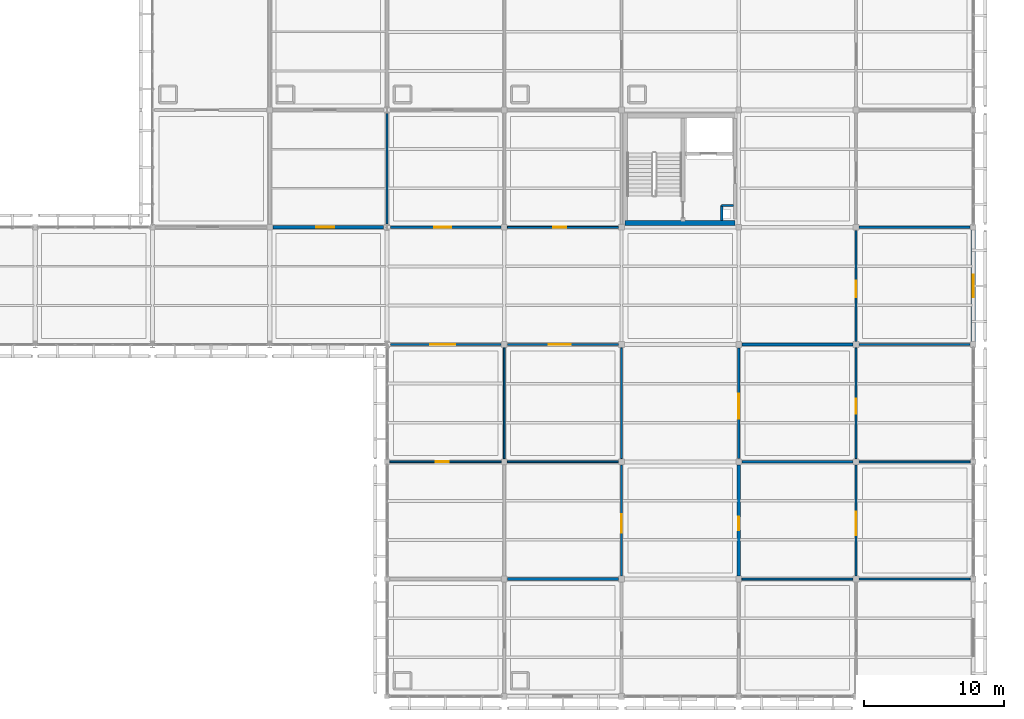
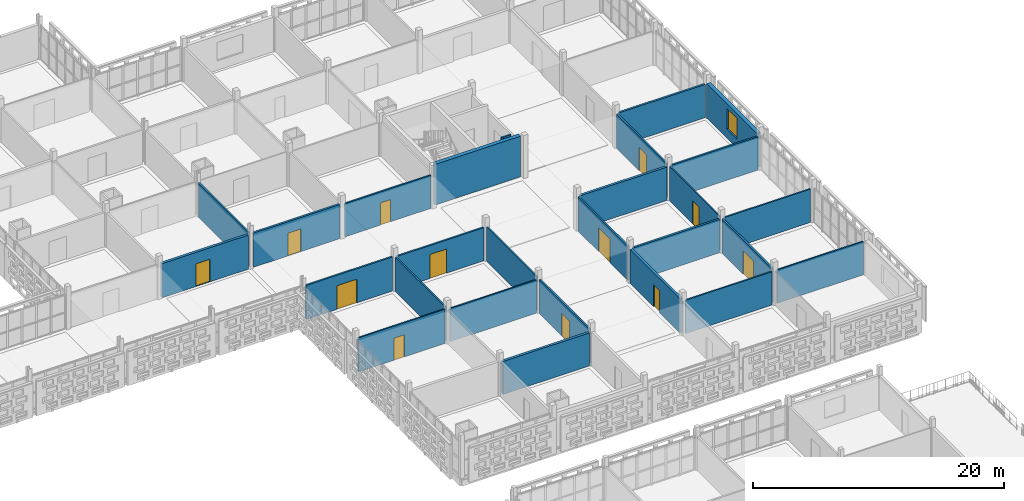
# One storey, part 105 of 166: 28 walls, 12 doors, 1 window, 13 openings.
"""IFC4 building model written with IfcOpenShell, lengths in metres."""

from ifc_helpers import new_model, si_unit, direction, frame, frame_2d, origin, place, context, subcontext, project, spatial, rectangle, extrude, material, layer, layer_set, type_object, element, fill, save


model = new_model("IFC4")

# Units and contexts
model_context = context("Model", 3, precision=1e-05, world=origin(), true_north=direction((0.0, 1.0)))
body_context = subcontext(model_context, "Body", "Model", "MODEL_VIEW")
ifc_project = project(units=[si_unit("LENGTHUNIT", "METRE"), si_unit("AREAUNIT", "SQUARE_METRE"), si_unit("VOLUMEUNIT", "CUBIC_METRE"), si_unit("PLANEANGLEUNIT", "RADIAN"), si_unit("MASSUNIT", "GRAM", prefix="KILO")], contexts=[model_context])

# Site, building, storey
site_placement = place(None, origin())
site = spatial("IfcSite", under=ifc_project, at=site_placement, CompositionType="ELEMENT")
building_placement = place(site_placement, origin())
building = spatial("IfcBuilding", under=site, at=building_placement, Name="Varnapada Polytechnic", CompositionType="ELEMENT")
storey_placement = place(building_placement, frame((0.0, 0.0, 9.60009765625)))
storey = spatial("IfcBuildingStorey", under=building, at=storey_placement, Name="L02", CompositionType="ELEMENT", Elevation=9.60009765625)

# Walls
ifc_material_1 = material(Name="Autoclaved Aerated Concrete Block AAC-600", Category="concrete")
ifc_layer_1 = layer(ifc_material_1, 0.14990234375)
ifc_layer_set_1 = layer_set([ifc_layer_1], Name="Autoclaved Aerated Concrete Block AAC-600")
wall_type_1 = type_object("IfcWallType", Name="Interior Wall IW-02", PredefinedType="PARTITIONING", material=ifc_layer_set_1)
wall_1_placement = place(storey_placement, frame((158.3798828125, 93.9599609375, 0.0), z_axis=(0.0, 0.0, 1.0), x_axis=(0.0, -1.0, 0.0)))
element("IfcWall", 1, at=wall_1_placement, inside=storey, type_object=wall_type_1, Name="L02 C5 riser shaft west wall", PredefinedType="PARTITIONING", context=body_context, shape_type="SweptSolid", body=[
    extrude(rectangle(XDim=1.06005859375, YDim=0.14990234375, at=frame_2d((0.530029296875, 0.0))), origin(), (0.0, 0.0, 1.0), 3.31982421875),
])
wall_2_placement = place(storey_placement, frame((158.3798828125, 93.9599609375, 0.0), z_axis=(0.0, 0.0, 1.0), x_axis=(1.0, 0.0, 0.0)))
element("IfcWall", 2, at=wall_2_placement, inside=storey, type_object=wall_type_1, Name="L02 C5 riser shaft north wall", PredefinedType="PARTITIONING", context=body_context, shape_type="SweptSolid", body=[
    extrude(rectangle(XDim=0.860107421875, YDim=0.14990234375, at=frame_2d((0.43017578125, 0.0))), origin(), (0.0, 0.0, 1.0), 3.31982421875),
])
wall_3_placement = place(storey_placement, frame((134.39990234375, 92.64501953125, 0.0), z_axis=(0.0, 0.0, 1.0), x_axis=(0.0, 1.0, 0.0)))
element("IfcWall", 3, at=wall_3_placement, inside=storey, type_object=wall_type_1, Name="L02 interior partition IW-L02-15-11-V", PredefinedType="PARTITIONING", context=body_context, shape_type="SweptSolid", body=[
    extrude(rectangle(XDim=7.909912109375, YDim=0.14990234375, at=frame_2d((3.955078125, 0.0))), origin(), (0.0, 0.0, 1.0), 3.31982421875),
])

# Wall, opening, door
wall_4_placement = place(storey_placement, frame((151.199951171875, 67.429931640625, 0.0), z_axis=(0.0, 0.0, 1.0), x_axis=(0.0, 1.0, 0.0)))
wall_4 = element("IfcWall", 4, at=wall_4_placement, inside=storey, type_object=wall_type_1, Name="L02 interior partition IW-L02-17-08-V", PredefinedType="PARTITIONING", context=body_context, shape_type="SweptSolid", body=[
    extrude(rectangle(XDim=7.940185546875, YDim=0.14990234375, at=frame_2d((3.97021484375, 0.0))), origin(), (0.0, 0.0, 1.0), 3.31982421875),
])
opening_1_placement = place(wall_4_placement, frame((3.10009765625, 0.0, 0.0)))
opening_1 = element("IfcOpeningElement", 5, at=opening_1_placement, cuts=wall_4, Name="Opening D-1165", PredefinedType="OPENING", context=body_context, shape_type="SweptSolid", body=[
    extrude(rectangle(XDim=1.300048828125, YDim=2.199951171875, at=frame_2d((0.64990234375, 1.10009765625))), frame((0.0, 0.0849609375, 0.0), z_axis=(0.0, -1.0, 0.0), x_axis=(1.0, 0.0, 0.0)), (0.0, 0.0, 1.0), 0.169921875),
])
ifc_material_2 = material(Name="Acoustic Laminated Timber Leaf", Category="wood")
door_type_1 = type_object("IfcDoorType", Name="Interior Door ID-11", OperationType="NOTDEFINED", PredefinedType="DOOR", material=ifc_material_2)
door_1_placement = place(opening_1_placement, origin())
door_1 = element("IfcDoor", 6, at=door_1_placement, inside=storey, type_object=door_type_1, Name="L02 interior room door D-1165", OperationType="SINGLE_SWING_RIGHT", OverallHeight=2.199951171875, OverallWidth=1.300048828125, PredefinedType="DOOR", context=body_context, shape_type="SweptSolid", body=[
    extrude(rectangle(XDim=1.300048828125, YDim=2.199951171875, at=frame_2d((0.64990234375, 1.10009765625))), frame((0.0, 0.02490234375, 0.0), z_axis=(0.0, -1.0, 0.0), x_axis=(1.0, 0.0, 0.0)), (0.0, 0.0, 1.0), 0.050048828125),
])
fill(opening_1, door_1)

wall_5_placement = place(storey_placement, frame((159.60009765625, 75.830078125, 0.0), z_axis=(0.0, 0.0, 1.0), x_axis=(0.0, 1.0, 0.0)))
wall_5 = element("IfcWall", 7, at=wall_5_placement, inside=storey, type_object=wall_type_1, Name="L02 interior partition IW-L02-18-09-V", PredefinedType="PARTITIONING", context=body_context, shape_type="SweptSolid", body=[
    extrude(rectangle(XDim=7.93994140625, YDim=0.14990234375, at=frame_2d((3.969970703125, 0.0))), origin(), (0.0, 0.0, 1.0), 3.31982421875),
])
opening_2_placement = place(wall_5_placement, frame((2.85009765625, 0.0, 0.0)))
opening_2 = element("IfcOpeningElement", 8, at=opening_2_placement, cuts=wall_5, Name="Opening D-1175", PredefinedType="OPENING", context=body_context, shape_type="SweptSolid", body=[
    extrude(rectangle(XDim=1.800048828125, YDim=2.300048828125, at=frame_2d((0.89990234375, 1.14990234375))), frame((0.0, 0.0849609375, 0.0), z_axis=(0.0, -1.0, 0.0), x_axis=(1.0, 0.0, 0.0)), (0.0, 0.0, 1.0), 0.169921875),
])
ifc_material_3 = material(Name="Acoustic Double Timber Leaf", Category="wood")
door_type_2 = type_object("IfcDoorType", Name="Interior Door ID-04", OperationType="NOTDEFINED", PredefinedType="DOOR", material=ifc_material_3)
door_2_placement = place(opening_2_placement, frame((1.800048828125, 0.0, 0.0), z_axis=(0.0, 0.0, 1.0), x_axis=(-1.0, 0.0, 0.0)))
door_2 = element("IfcDoor", 9, at=door_2_placement, inside=storey, type_object=door_type_2, Name="L02 interior room door D-1175", OperationType="SINGLE_SWING_RIGHT", OverallHeight=2.300048828125, OverallWidth=1.800048828125, PredefinedType="DOOR", context=body_context, shape_type="SweptSolid", body=[
    extrude(rectangle(XDim=1.800048828125, YDim=2.300048828125, at=frame_2d((0.89990234375, 1.14990234375))), frame((0.0, 0.02490234375, 0.0), z_axis=(0.0, -1.0, 0.0), x_axis=(1.0, 0.0, 0.0)), (0.0, 0.0, 1.0), 0.050048828125),
])
fill(opening_2, door_2)

ifc_material_4 = material(Name="Gypsum Plasterboard Acoustic Partition")
ifc_layer_2 = layer(ifc_material_4, 0.125)
ifc_layer_set_2 = layer_set([ifc_layer_2], Name="Gypsum Plasterboard Acoustic Partition")
wall_type_2 = type_object("IfcWallType", Name="Interior Wall IW-03", PredefinedType="PARTITIONING", material=ifc_layer_set_2)
wall_6_placement = place(storey_placement, frame((134.610107421875, 75.60009765625, 0.0), z_axis=(0.0, 0.0, 1.0), x_axis=(1.0, 0.0, 0.0)))
wall_6 = element("IfcWall", 10, at=wall_6_placement, inside=storey, type_object=wall_type_2, Name="L02 interior partition IW-L02-16-08-H", PredefinedType="PARTITIONING", context=body_context, shape_type="SweptSolid", body=[
    extrude(rectangle(XDim=7.9599609375, YDim=0.125, at=frame_2d((3.97998046875, 0.0))), origin(), (0.0, 0.0, 1.0), 3.31982421875),
])
opening_3_placement = place(wall_6_placement, frame((3.27490234375, 0.0, 0.0)))
opening_3 = element("IfcOpeningElement", 11, at=opening_3_placement, cuts=wall_6, Name="Opening D-1157", PredefinedType="OPENING", context=body_context, shape_type="SweptSolid", body=[
    extrude(rectangle(XDim=0.949951171875, YDim=2.14990234375, at=frame_2d((0.47509765625, 1.074951171875))), frame((0.0, 0.072509765625, 0.0), z_axis=(0.0, -1.0, 0.0), x_axis=(1.0, 0.0, 0.0)), (0.0, 0.0, 1.0), 0.14501953125),
])
ifc_material_5 = material(Name="Moisture-Resistant HPL Timber", Category="wood")
door_type_3 = type_object("IfcDoorType", Name="Interior Door ID-03", OperationType="NOTDEFINED", PredefinedType="DOOR", material=ifc_material_5)
door_3_placement = place(opening_3_placement, frame((0.949951171875, 0.0, 0.0), z_axis=(0.0, 0.0, 1.0), x_axis=(-1.0, 0.0, 0.0)))
door_3 = element("IfcDoor", 12, at=door_3_placement, inside=storey, type_object=door_type_3, Name="L02 interior room door D-1157", OperationType="SINGLE_SWING_RIGHT", OverallHeight=2.14990234375, OverallWidth=0.949951171875, PredefinedType="DOOR", context=body_context, shape_type="SweptSolid", body=[
    extrude(rectangle(XDim=0.949951171875, YDim=2.14990234375, at=frame_2d((0.47509765625, 1.074951171875))), frame((0.0, 0.02490234375, 0.0), z_axis=(0.0, -1.0, 0.0), x_axis=(1.0, 0.0, 0.0)), (0.0, 0.0, 1.0), 0.050048828125),
])
fill(opening_3, door_3)

# Walls
wall_7_placement = place(storey_placement, frame((143.030029296875, 75.60009765625, 0.0), z_axis=(0.0, 0.0, 1.0), x_axis=(1.0, 0.0, 0.0)))
element("IfcWall", 13, at=wall_7_placement, inside=storey, type_object=wall_type_2, Name="L02 interior partition IW-L02-17-08-H", PredefinedType="PARTITIONING", context=body_context, shape_type="SweptSolid", body=[
    extrude(rectangle(XDim=7.93994140625, YDim=0.125, at=frame_2d((3.969970703125, 0.0))), origin(), (0.0, 0.0, 1.0), 3.219970703125),
])
wall_8_placement = place(storey_placement, frame((168.22998046875, 67.199951171875, 0.0), z_axis=(0.0, 0.0, 1.0), x_axis=(1.0, 0.0, 0.0)))
element("IfcWall", 14, at=wall_8_placement, inside=storey, type_object=wall_type_2, Name="L02 interior partition IW-L02-20-07-H", PredefinedType="PARTITIONING", context=body_context, shape_type="SweptSolid", body=[
    extrude(rectangle(XDim=7.93994140625, YDim=0.125, at=frame_2d((3.969970703125, 0.0))), origin(), (0.0, 0.0, 1.0), 3.239990234375),
])
ifc_material_6 = material(Name="Moisture-Resistant Cement Board Partition")
ifc_layer_3 = layer(ifc_material_6, 0.139892578125)
ifc_layer_set_3 = layer_set([ifc_layer_3], Name="Moisture-Resistant Cement Board Partition")
wall_type_3 = type_object("IfcWallType", Name="Interior Wall IW-04", PredefinedType="PARTITIONING", material=ifc_layer_set_3)
for number, where, z_axis, x_axis, name in (
    (15, (142.800048828125, 75.830078125, 0.0), (0.0, 0.0, 1.0), (0.0, 1.0, 0.0), "L02 interior partition IW-L02-16-09-V"),
    (16, (151.199951171875, 75.830078125, 0.0), (0.0, 0.0, 1.0), (0.0, 1.0, 0.0), "L02 interior partition IW-L02-17-09-V"),
):
    element("IfcWall", number, at=place(storey_placement, frame(where, z_axis=z_axis, x_axis=x_axis)), inside=storey, type_object=wall_type_3, Name=name, PredefinedType="PARTITIONING", context=body_context, shape_type="SweptSolid", body=[
        extrude(rectangle(XDim=7.93994140625, YDim=0.139892578125, at=frame_2d((3.969970703125, 0.0))), origin(), (0.0, 0.0, 1.0), 3.31982421875),
    ])

# Wall, opening, door
wall_9_placement = place(storey_placement, frame((143.030029296875, 92.39990234375, 0.0), z_axis=(0.0, 0.0, 1.0), x_axis=(1.0, 0.0, 0.0)))
wall_9 = element("IfcWall", 17, at=wall_9_placement, inside=storey, type_object=wall_type_3, Name="L02 interior partition IW-L02-17-10-H", PredefinedType="PARTITIONING", context=body_context, shape_type="SweptSolid", body=[
    extrude(rectangle(XDim=7.93994140625, YDim=0.139892578125, at=frame_2d((3.969970703125, 0.0))), origin(), (0.0, 0.0, 1.0), 3.219970703125),
])
opening_4_placement = place(wall_9_placement, frame((3.27490234375, 0.0, 0.0)))
opening_4 = element("IfcOpeningElement", 18, at=opening_4_placement, cuts=wall_9, Name="Opening D-1167", PredefinedType="OPENING", context=body_context, shape_type="SweptSolid", body=[
    extrude(rectangle(XDim=0.949951171875, YDim=2.14990234375, at=frame_2d((0.47509765625, 1.074951171875))), frame((0.0, 0.079833984375, 0.0), z_axis=(0.0, -1.0, 0.0), x_axis=(1.0, 0.0, 0.0)), (0.0, 0.0, 1.0), 0.159912109375),
])
door_4_placement = place(opening_4_placement, origin())
door_4 = element("IfcDoor", 19, at=door_4_placement, inside=storey, type_object=door_type_3, Name="L02 interior room door D-1167", OperationType="SINGLE_SWING_RIGHT", OverallHeight=2.14990234375, OverallWidth=0.949951171875, PredefinedType="DOOR", context=body_context, shape_type="SweptSolid", body=[
    extrude(rectangle(XDim=0.949951171875, YDim=2.14990234375, at=frame_2d((0.47509765625, 1.074951171875))), frame((0.0, 0.02490234375, 0.0), z_axis=(0.0, -1.0, 0.0), x_axis=(1.0, 0.0, 0.0)), (0.0, 0.0, 1.0), 0.050048828125),
])
fill(opening_4, door_4)

# Wall
wall_10_placement = place(storey_placement, frame((168.22998046875, 75.60009765625, 0.0), z_axis=(0.0, 0.0, 1.0), x_axis=(1.0, 0.0, 0.0)))
element("IfcWall", 20, at=wall_10_placement, inside=storey, type_object=wall_type_3, Name="L02 interior partition IW-L02-20-08-H", PredefinedType="PARTITIONING", context=body_context, shape_type="SweptSolid", body=[
    extrude(rectangle(XDim=7.93994140625, YDim=0.139892578125, at=frame_2d((3.969970703125, 0.0))), origin(), (0.0, 0.0, 1.0), 3.239990234375),
])

# Wall, opening, door
ifc_material_7 = material(Name="Cross-laminated timber CLT C24", Category="wood")
ifc_layer_4 = layer(ifc_material_7, 0.159912109375)
ifc_layer_set_4 = layer_set([ifc_layer_4], Name="Cross-laminated timber CLT C24")
wall_type_4 = type_object("IfcWallType", Name="Interior Wall IW-05", PredefinedType="PARTITIONING", material=ifc_layer_set_4)
wall_11_placement = place(storey_placement, frame((134.639892578125, 84.0, 0.0), z_axis=(0.0, 0.0, 1.0), x_axis=(1.0, 0.0, 0.0)))
wall_11 = element("IfcWall", 21, at=wall_11_placement, inside=storey, type_object=wall_type_4, Name="L02 interior partition IW-L02-16-09-H", PredefinedType="PARTITIONING", context=body_context, shape_type="SweptSolid", body=[
    extrude(rectangle(XDim=7.93017578125, YDim=0.159912109375, at=frame_2d((3.965087890625, 0.0))), origin(), (0.0, 0.0, 1.0), 3.31982421875),
])
opening_5_placement = place(wall_11_placement, frame((2.85009765625, 0.0, 0.0)))
opening_5 = element("IfcOpeningElement", 22, at=opening_5_placement, cuts=wall_11, Name="Opening D-1158", PredefinedType="OPENING", context=body_context, shape_type="SweptSolid", body=[
    extrude(rectangle(XDim=1.800048828125, YDim=2.300048828125, at=frame_2d((0.89990234375, 1.14990234375))), frame((0.0, 0.08984375, 0.0), z_axis=(0.0, -1.0, 0.0), x_axis=(1.0, 0.0, 0.0)), (0.0, 0.0, 1.0), 0.179931640625),
])
door_5_placement = place(opening_5_placement, origin())
door_5 = element("IfcDoor", 23, at=door_5_placement, inside=storey, type_object=door_type_2, Name="L02 interior room door D-1158", OperationType="SINGLE_SWING_LEFT", OverallHeight=2.300048828125, OverallWidth=1.800048828125, PredefinedType="DOOR", context=body_context, shape_type="SweptSolid", body=[
    extrude(rectangle(XDim=1.800048828125, YDim=2.300048828125, at=frame_2d((0.89990234375, 1.14990234375))), frame((0.0, 0.02490234375, 0.0), z_axis=(0.0, -1.0, 0.0), x_axis=(1.0, 0.0, 0.0)), (0.0, 0.0, 1.0), 0.050048828125),
])
fill(opening_5, door_5)

wall_12_placement = place(storey_placement, frame((143.030029296875, 84.0, 0.0), z_axis=(0.0, 0.0, 1.0), x_axis=(1.0, 0.0, 0.0)))
wall_12 = element("IfcWall", 24, at=wall_12_placement, inside=storey, type_object=wall_type_4, Name="L02 interior partition IW-L02-17-09-H", PredefinedType="PARTITIONING", context=body_context, shape_type="SweptSolid", body=[
    extrude(rectangle(XDim=7.93994140625, YDim=0.159912109375, at=frame_2d((3.969970703125, 0.0))), origin(), (0.0, 0.0, 1.0), 3.219970703125),
])
opening_6_placement = place(wall_12_placement, frame((2.97509765625, 0.0, 0.0)))
opening_6 = element("IfcOpeningElement", 25, at=opening_6_placement, cuts=wall_12, Name="Opening D-1166", PredefinedType="OPENING", context=body_context, shape_type="SweptSolid", body=[
    extrude(rectangle(XDim=1.550048828125, YDim=2.35009765625, at=frame_2d((0.77490234375, 1.175048828125))), frame((0.0, 0.08984375, 0.0), z_axis=(0.0, -1.0, 0.0), x_axis=(1.0, 0.0, 0.0)), (0.0, 0.0, 1.0), 0.179931640625),
])
ifc_material_8 = material(Name="Galvanized Steel Z275", Category="steel")
door_type_4 = type_object("IfcDoorType", Name="Interior Door ID-12", OperationType="NOTDEFINED", PredefinedType="DOOR", material=ifc_material_8)
door_6_placement = place(opening_6_placement, frame((1.550048828125, 0.0, 0.0), z_axis=(0.0, 0.0, 1.0), x_axis=(-1.0, 0.0, 0.0)))
door_6 = element("IfcDoor", 26, at=door_6_placement, inside=storey, type_object=door_type_4, Name="L02 interior room door D-1166", OperationType="SINGLE_SWING_LEFT", OverallHeight=2.35009765625, OverallWidth=1.550048828125, PredefinedType="DOOR", context=body_context, shape_type="SweptSolid", body=[
    extrude(rectangle(XDim=1.550048828125, YDim=2.35009765625, at=frame_2d((0.77490234375, 1.175048828125))), frame((0.0, 0.02490234375, 0.0), z_axis=(0.0, -1.0, 0.0), x_axis=(1.0, 0.0, 0.0)), (0.0, 0.0, 1.0), 0.050048828125),
])
fill(opening_6, door_6)

# Wall
wall_13_placement = place(storey_placement, frame((168.22998046875, 84.0, 0.0), z_axis=(0.0, 0.0, 1.0), x_axis=(1.0, 0.0, 0.0)))
element("IfcWall", 27, at=wall_13_placement, inside=storey, type_object=wall_type_4, Name="L02 interior partition IW-L02-20-09-H", PredefinedType="PARTITIONING", context=body_context, shape_type="SweptSolid", body=[
    extrude(rectangle(XDim=7.93994140625, YDim=0.159912109375, at=frame_2d((3.969970703125, 0.0))), origin(), (0.0, 0.0, 1.0), 3.239990234375),
])

# Wall, opening, door
ifc_material_9 = material(Name="Acoustic Double-Stud Studio Partition")
ifc_layer_5 = layer(ifc_material_9, 0.179931640625)
ifc_layer_set_5 = layer_set([ifc_layer_5], Name="Acoustic Double-Stud Studio Partition")
wall_type_5 = type_object("IfcWallType", Name="Interior Wall IW-06", PredefinedType="PARTITIONING", material=ifc_layer_set_5)
wall_14_placement = place(storey_placement, frame((134.64501953125, 92.39990234375, 0.0), z_axis=(0.0, 0.0, 1.0), x_axis=(1.0, 0.0, 0.0)))
wall_14 = element("IfcWall", 28, at=wall_14_placement, inside=storey, type_object=wall_type_5, Name="L02 interior partition IW-L02-16-10-H", PredefinedType="PARTITIONING", context=body_context, shape_type="SweptSolid", body=[
    extrude(rectangle(XDim=7.925048828125, YDim=0.179931640625, at=frame_2d((3.96240234375, 0.0))), origin(), (0.0, 0.0, 1.0), 3.31982421875),
])
opening_7_placement = place(wall_14_placement, frame((3.14990234375, 0.0, 0.0)))
opening_7 = element("IfcOpeningElement", 29, at=opening_7_placement, cuts=wall_14, Name="Opening D-1159", PredefinedType="OPENING", context=body_context, shape_type="SweptSolid", body=[
    extrude(rectangle(XDim=1.199951171875, YDim=2.199951171875, at=frame_2d((0.60009765625, 1.10009765625))), frame((0.0, 0.099853515625, 0.0), z_axis=(0.0, -1.0, 0.0), x_axis=(1.0, 0.0, 0.0)), (0.0, 0.0, 1.0), 0.199951171875),
])
ifc_material_10 = material(Name="Solid Teak Hardwood Timber", Category="wood")
door_type_5 = type_object("IfcDoorType", Name="Interior Door ID-05", OperationType="NOTDEFINED", PredefinedType="DOOR", material=ifc_material_10)
door_7_placement = place(opening_7_placement, origin())
door_7 = element("IfcDoor", 30, at=door_7_placement, inside=storey, type_object=door_type_5, Name="L02 interior room door D-1159", OperationType="SINGLE_SWING_RIGHT", OverallHeight=2.199951171875, OverallWidth=1.199951171875, PredefinedType="DOOR", context=body_context, shape_type="SweptSolid", body=[
    extrude(rectangle(XDim=1.199951171875, YDim=2.199951171875, at=frame_2d((0.60009765625, 1.10009765625))), frame((0.0, 0.02490234375, 0.0), z_axis=(0.0, -1.0, 0.0), x_axis=(1.0, 0.0, 0.0)), (0.0, 0.0, 1.0), 0.050048828125),
])
fill(opening_7, door_7)

# Walls
wall_15_placement = place(storey_placement, frame((168.22998046875, 92.39990234375, 0.0), z_axis=(0.0, 0.0, 1.0), x_axis=(1.0, 0.0, 0.0)))
element("IfcWall", 31, at=wall_15_placement, inside=storey, type_object=wall_type_5, Name="L02 interior partition IW-L02-20-10-H", PredefinedType="PARTITIONING", context=body_context, shape_type="SweptSolid", body=[
    extrude(rectangle(XDim=7.93994140625, YDim=0.179931640625, at=frame_2d((3.969970703125, 0.0))), origin(), (0.0, 0.0, 1.0), 3.239990234375),
])
ifc_material_11 = material(Name="Calcium Silicate Acoustic Lab Partition")
ifc_layer_6 = layer(ifc_material_11, 0.135009765625)
ifc_layer_set_6 = layer_set([ifc_layer_6], Name="Calcium Silicate Acoustic Lab Partition")
wall_type_6 = type_object("IfcWallType", Name="Interior Wall IW-09", PredefinedType="PARTITIONING", material=ifc_layer_set_6)
wall_16_placement = place(storey_placement, frame((159.830078125, 67.199951171875, 0.0), z_axis=(0.0, 0.0, 1.0), x_axis=(1.0, 0.0, 0.0)))
element("IfcWall", 32, at=wall_16_placement, inside=storey, type_object=wall_type_6, Name="L02 interior partition IW-L02-19-07-H", PredefinedType="PARTITIONING", context=body_context, shape_type="SweptSolid", body=[
    extrude(rectangle(XDim=7.93994140625, YDim=0.135009765625, at=frame_2d((3.969970703125, 0.0))), origin(), (0.0, 0.0, 1.0), 3.239990234375),
])

# Wall, opening, door
ifc_material_12 = material(Name="Double-Layer Fireboard Workshop Wall")
ifc_layer_7 = layer(ifc_material_12, 0.169921875)
ifc_layer_set_7 = layer_set([ifc_layer_7], Name="Double-Layer Fireboard Workshop Wall")
wall_type_7 = type_object("IfcWallType", Name="Interior Wall IW-10", PredefinedType="PARTITIONING", material=ifc_layer_set_7)
wall_17_placement = place(storey_placement, frame((168.0, 67.429931640625, 0.0), z_axis=(0.0, 0.0, 1.0), x_axis=(0.0, 1.0, 0.0)))
wall_17 = element("IfcWall", 33, at=wall_17_placement, inside=storey, type_object=wall_type_7, Name="L02 interior partition IW-L02-19-08-V", PredefinedType="PARTITIONING", context=body_context, shape_type="SweptSolid", body=[
    extrude(rectangle(XDim=7.940185546875, YDim=0.169921875, at=frame_2d((3.97021484375, 0.0))), origin(), (0.0, 0.0, 1.0), 3.31982421875),
])
opening_8_placement = place(wall_17_placement, frame((2.925048828125, 0.0, 0.0)))
opening_8 = element("IfcOpeningElement", 34, at=opening_8_placement, cuts=wall_17, Name="Opening D-1179", PredefinedType="OPENING", context=body_context, shape_type="SweptSolid", body=[
    extrude(rectangle(XDim=1.64990234375, YDim=2.25, at=frame_2d((0.824951171875, 1.125))), frame((0.0, 0.094970703125, 0.0), z_axis=(0.0, -1.0, 0.0), x_axis=(1.0, 0.0, 0.0)), (0.0, 0.0, 1.0), 0.18994140625),
])
door_type_6 = type_object("IfcDoorType", Name="Interior Door ID-08", OperationType="NOTDEFINED", PredefinedType="DOOR", material=ifc_material_10)
door_8_placement = place(opening_8_placement, origin())
door_8 = element("IfcDoor", 35, at=door_8_placement, inside=storey, type_object=door_type_6, Name="L02 interior room door D-1179", OperationType="SINGLE_SWING_RIGHT", OverallHeight=2.25, OverallWidth=1.64990234375, PredefinedType="DOOR", context=body_context, shape_type="SweptSolid", body=[
    extrude(rectangle(XDim=1.64990234375, YDim=2.25, at=frame_2d((0.824951171875, 1.125))), frame((0.0, 0.02490234375, 0.0), z_axis=(0.0, -1.0, 0.0), x_axis=(1.0, 0.0, 0.0)), (0.0, 0.0, 1.0), 0.050048828125),
])
fill(opening_8, door_8)

# Wall
ifc_material_13 = material(Name="Insulated Masonry Plant Room Wall", Category="masonry")
ifc_layer_8 = layer(ifc_material_13, 0.18994140625)
ifc_layer_set_8 = layer_set([ifc_layer_8], Name="Insulated Masonry Plant Room Wall")
wall_type_8 = type_object("IfcWallType", Name="Interior Wall IW-11", PredefinedType="PARTITIONING", material=ifc_layer_set_8)
wall_18_placement = place(storey_placement, frame((159.830078125, 75.60009765625, 0.0), z_axis=(0.0, 0.0, 1.0), x_axis=(1.0, 0.0, 0.0)))
element("IfcWall", 36, at=wall_18_placement, inside=storey, type_object=wall_type_8, Name="L02 interior partition IW-L02-19-08-H", PredefinedType="PARTITIONING", context=body_context, shape_type="SweptSolid", body=[
    extrude(rectangle(XDim=7.93994140625, YDim=0.18994140625, at=frame_2d((3.969970703125, 0.0))), origin(), (0.0, 0.0, 1.0), 3.239990234375),
])

# Wall, opening, door
ifc_material_14 = material(Name="Timber-Stud Studio Critique Partition", Category="wood")
ifc_layer_9 = layer(ifc_material_14, 0.114990234375)
ifc_layer_set_9 = layer_set([ifc_layer_9], Name="Timber-Stud Studio Critique Partition")
wall_type_9 = type_object("IfcWallType", Name="Interior Wall IW-12", PredefinedType="PARTITIONING", material=ifc_layer_set_9)
wall_19_placement = place(storey_placement, frame((168.0, 75.830078125, 0.0), z_axis=(0.0, 0.0, 1.0), x_axis=(0.0, 1.0, 0.0)))
wall_19 = element("IfcWall", 37, at=wall_19_placement, inside=storey, type_object=wall_type_9, Name="L02 interior partition IW-L02-19-09-V", PredefinedType="PARTITIONING", context=body_context, shape_type="SweptSolid", body=[
    extrude(rectangle(XDim=7.93994140625, YDim=0.114990234375, at=frame_2d((3.969970703125, 0.0))), origin(), (0.0, 0.0, 1.0), 3.31982421875),
])
opening_9_placement = place(wall_19_placement, frame((3.22509765625, 0.0, 0.0)))
opening_9 = element("IfcOpeningElement", 38, at=opening_9_placement, cuts=wall_19, Name="Opening D-1180", PredefinedType="OPENING", context=body_context, shape_type="SweptSolid", body=[
    extrude(rectangle(XDim=1.050048828125, YDim=2.199951171875, at=frame_2d((0.52490234375, 1.10009765625))), frame((0.0, 0.0673828125, 0.0), z_axis=(0.0, -1.0, 0.0), x_axis=(1.0, 0.0, 0.0)), (0.0, 0.0, 1.0), 0.135009765625),
])
door_type_7 = type_object("IfcDoorType", Name="Interior Door ID-09", OperationType="NOTDEFINED", PredefinedType="DOOR", material=ifc_material_10)
door_9_placement = place(opening_9_placement, origin())
door_9 = element("IfcDoor", 39, at=door_9_placement, inside=storey, type_object=door_type_7, Name="L02 interior room door D-1180", OperationType="SINGLE_SWING_LEFT", OverallHeight=2.199951171875, OverallWidth=1.050048828125, PredefinedType="DOOR", context=body_context, shape_type="SweptSolid", body=[
    extrude(rectangle(XDim=1.050048828125, YDim=2.199951171875, at=frame_2d((0.52490234375, 1.10009765625))), frame((0.0, 0.02490234375, 0.0), z_axis=(0.0, -1.0, 0.0), x_axis=(1.0, 0.0, 0.0)), (0.0, 0.0, 1.0), 0.050048828125),
])
fill(opening_9, door_9)

# Wall
ifc_material_15 = material(Name="Heavy Acoustic Auditorium Baffle Wall")
ifc_layer_10 = layer(ifc_material_15, 0.219970703125)
ifc_layer_set_10 = layer_set([ifc_layer_10], Name="Heavy Acoustic Auditorium Baffle Wall")
wall_type_10 = type_object("IfcWallType", Name="Interior Wall IW-13", PredefinedType="PARTITIONING", material=ifc_layer_set_10)
wall_20_placement = place(storey_placement, frame((159.830078125, 84.0, 0.0), z_axis=(0.0, 0.0, 1.0), x_axis=(1.0, 0.0, 0.0)))
element("IfcWall", 40, at=wall_20_placement, inside=storey, type_object=wall_type_10, Name="L02 interior partition IW-L02-19-09-H", PredefinedType="PARTITIONING", context=body_context, shape_type="SweptSolid", body=[
    extrude(rectangle(XDim=7.93994140625, YDim=0.219970703125, at=frame_2d((3.969970703125, 0.0))), origin(), (0.0, 0.0, 1.0), 3.239990234375),
])

# Wall, opening, door
ifc_material_16 = material(Name="Ceramic-Tiled Wet Laboratory Wall")
ifc_layer_11 = layer(ifc_material_16, 0.14501953125)
ifc_layer_set_11 = layer_set([ifc_layer_11], Name="Ceramic-Tiled Wet Laboratory Wall")
wall_type_11 = type_object("IfcWallType", Name="Interior Wall IW-14", PredefinedType="PARTITIONING", material=ifc_layer_set_11)
wall_21_placement = place(storey_placement, frame((168.0, 84.22998046875, 0.0), z_axis=(0.0, 0.0, 1.0), x_axis=(0.0, 1.0, 0.0)))
wall_21 = element("IfcWall", 41, at=wall_21_placement, inside=storey, type_object=wall_type_11, Name="L02 interior partition IW-L02-19-10-V", PredefinedType="PARTITIONING", context=body_context, shape_type="SweptSolid", body=[
    extrude(rectangle(XDim=7.93994140625, YDim=0.14501953125, at=frame_2d((3.969970703125, 0.0))), origin(), (0.0, 0.0, 1.0), 3.31982421875),
])
opening_10_placement = place(wall_21_placement, frame((3.175048828125, 0.0, 0.0)))
opening_10 = element("IfcOpeningElement", 42, at=opening_10_placement, cuts=wall_21, Name="Opening D-1181", PredefinedType="OPENING", context=body_context, shape_type="SweptSolid", body=[
    extrude(rectangle(XDim=1.14990234375, YDim=2.25, at=frame_2d((0.574951171875, 1.125))), frame((0.0, 0.08251953125, 0.0), z_axis=(0.0, -1.0, 0.0), x_axis=(1.0, 0.0, 0.0)), (0.0, 0.0, 1.0), 0.1650390625),
])
ifc_material_17 = material(Name="Powder-Coated Aluminium 6063-T6", Category="aluminium")
door_type_8 = type_object("IfcDoorType", Name="Interior Door ID-10", OperationType="NOTDEFINED", PredefinedType="DOOR", material=ifc_material_17)
door_10_placement = place(opening_10_placement, frame((1.14990234375, 0.0, 0.0), z_axis=(0.0, 0.0, 1.0), x_axis=(-1.0, 0.0, 0.0)))
door_10 = element("IfcDoor", 43, at=door_10_placement, inside=storey, type_object=door_type_8, Name="L02 interior room door D-1181", OperationType="SINGLE_SWING_RIGHT", OverallHeight=2.25, OverallWidth=1.14990234375, PredefinedType="DOOR", context=body_context, shape_type="SweptSolid", body=[
    extrude(rectangle(XDim=1.14990234375, YDim=2.25, at=frame_2d((0.574951171875, 1.125))), frame((0.0, 0.02490234375, 0.0), z_axis=(0.0, -1.0, 0.0), x_axis=(1.0, 0.0, 0.0)), (0.0, 0.0, 1.0), 0.050048828125),
])
fill(opening_10, door_10)

ifc_material_18 = material(Name="Double-Leaf Acoustic Lecture Wall")
ifc_layer_12 = layer(ifc_material_18, 0.235107421875)
ifc_layer_set_12 = layer_set([ifc_layer_12], Name="Double-Leaf Acoustic Lecture Wall")
wall_type_12 = type_object("IfcWallType", Name="Interior Wall IW-17", PredefinedType="PARTITIONING", material=ifc_layer_set_12)
wall_22_placement = place(storey_placement, frame((126.219970703125, 92.39990234375, 0.0), z_axis=(0.0, 0.0, 1.0), x_axis=(1.0, 0.0, 0.0)))
wall_22 = element("IfcWall", 44, at=wall_22_placement, inside=storey, type_object=wall_type_12, Name="L02 interior partition IW-L02-15-10-H", PredefinedType="PARTITIONING", context=body_context, shape_type="SweptSolid", body=[
    extrude(rectangle(XDim=7.93505859375, YDim=0.235107421875, at=frame_2d((3.967529296875, 0.0))), origin(), (0.0, 0.0, 1.0), 3.31982421875),
])
opening_11_placement = place(wall_22_placement, frame((3.10009765625, 0.0, 0.0)))
opening_11 = element("IfcOpeningElement", 45, at=opening_11_placement, cuts=wall_22, Name="Opening D-1148", PredefinedType="OPENING", context=body_context, shape_type="SweptSolid", body=[
    extrude(rectangle(XDim=1.300048828125, YDim=2.199951171875, at=frame_2d((0.64990234375, 1.10009765625))), frame((0.0, 0.12744140625, 0.0), z_axis=(0.0, -1.0, 0.0), x_axis=(1.0, 0.0, 0.0)), (0.0, 0.0, 1.0), 0.255126953125),
])
door_11_placement = place(opening_11_placement, frame((1.300048828125, 0.0, 0.0), z_axis=(0.0, 0.0, 1.0), x_axis=(-1.0, 0.0, 0.0)))
door_11 = element("IfcDoor", 46, at=door_11_placement, inside=storey, type_object=door_type_1, Name="L02 interior room door D-1148", OperationType="SINGLE_SWING_LEFT", OverallHeight=2.199951171875, OverallWidth=1.300048828125, PredefinedType="DOOR", context=body_context, shape_type="SweptSolid", body=[
    extrude(rectangle(XDim=1.300048828125, YDim=2.199951171875, at=frame_2d((0.64990234375, 1.10009765625))), frame((0.0, 0.02490234375, 0.0), z_axis=(0.0, -1.0, 0.0), x_axis=(1.0, 0.0, 0.0)), (0.0, 0.0, 1.0), 0.050048828125),
])
fill(opening_11, door_11)

# Wall
wall_23_placement = place(storey_placement, frame((143.030029296875, 67.199951171875, 0.0), z_axis=(0.0, 0.0, 1.0), x_axis=(1.0, 0.0, 0.0)))
element("IfcWall", 47, at=wall_23_placement, inside=storey, type_object=wall_type_12, Name="L02 interior partition IW-L02-17-07-H", PredefinedType="PARTITIONING", context=body_context, shape_type="SweptSolid", body=[
    extrude(rectangle(XDim=7.93994140625, YDim=0.235107421875, at=frame_2d((3.969970703125, 0.0))), origin(), (0.0, 0.0, 1.0), 3.2099609375),
])

# Wall, opening, door
wall_24_placement = place(storey_placement, frame((159.60009765625, 67.429931640625, 0.0), z_axis=(0.0, 0.0, 1.0), x_axis=(0.0, 1.0, 0.0)))
wall_24 = element("IfcWall", 48, at=wall_24_placement, inside=storey, type_object=wall_type_12, Name="L02 interior partition IW-L02-18-08-V", PredefinedType="PARTITIONING", context=body_context, shape_type="SweptSolid", body=[
    extrude(rectangle(XDim=7.940185546875, YDim=0.235107421875, at=frame_2d((3.97021484375, 0.0))), origin(), (0.0, 0.0, 1.0), 3.31982421875),
])
opening_12_placement = place(wall_24_placement, frame((3.27490234375, 0.0, 0.0)))
opening_12 = element("IfcOpeningElement", 49, at=opening_12_placement, cuts=wall_24, Name="Opening D-1174", PredefinedType="OPENING", context=body_context, shape_type="SweptSolid", body=[
    extrude(rectangle(XDim=0.949951171875, YDim=2.14990234375, at=frame_2d((0.47509765625, 1.074951171875))), frame((0.0, 0.12744140625, 0.0), z_axis=(0.0, -1.0, 0.0), x_axis=(1.0, 0.0, 0.0)), (0.0, 0.0, 1.0), 0.255126953125),
])
door_12_placement = place(opening_12_placement, origin())
door_12 = element("IfcDoor", 50, at=door_12_placement, inside=storey, type_object=door_type_3, Name="L02 interior room door D-1174", OperationType="SINGLE_SWING_LEFT", OverallHeight=2.14990234375, OverallWidth=0.949951171875, PredefinedType="DOOR", context=body_context, shape_type="SweptSolid", body=[
    extrude(rectangle(XDim=0.949951171875, YDim=2.14990234375, at=frame_2d((0.47509765625, 1.074951171875))), frame((0.0, 0.02490234375, 0.0), z_axis=(0.0, -1.0, 0.0), x_axis=(1.0, 0.0, 0.0)), (0.0, 0.0, 1.0), 0.050048828125),
])
fill(opening_12, door_12)

# Wall
ifc_material_19 = material(Name="Concrete C40/50", Category="concrete")
ifc_layer_13 = layer(ifc_material_19, 0.35009765625)
ifc_layer_set_13 = layer_set([ifc_layer_13], Name="Concrete C40/50")
wall_type_13 = type_object("IfcWallType", Name="Interior Wall SW-01", PredefinedType="SHEAR", material=ifc_layer_set_13)
wall_25_placement = place(storey_placement, frame((159.340087890625, 92.719970703125, 0.0), z_axis=(0.0, 0.0, 1.0), x_axis=(-1.0, 0.0, 0.0)))
element("IfcWall", 51, at=wall_25_placement, inside=storey, type_object=wall_type_13, Name="L02 C5 core south shear wall", PredefinedType="SHEAR", context=body_context, shape_type="SweptSolid", body=[
    extrude(rectangle(XDim=7.875, YDim=0.35009765625, at=frame_2d((3.9375, 0.0))), origin(), (0.0, 0.0, 1.0), 3.9599609375),
])

# Wall, opening, window
ifc_material_20 = material(Name="Precast concrete C40/50", Category="concrete")
ifc_layer_14 = layer(ifc_material_20, 0.340087890625)
ifc_layer_set_14 = layer_set([ifc_layer_14], Name="Precast concrete C40/50")
wall_type_14 = type_object("IfcWallType", Name="Wall EW-07", PredefinedType="SOLIDWALL", material=ifc_layer_set_14)
wall_26_placement = place(storey_placement, frame((176.39990234375, 92.18994140625, 0.0), z_axis=(0.0, 0.0, 1.0), x_axis=(0.0, -1.0, 0.0)))
wall_26 = element("IfcWall", 52, at=wall_26_placement, inside=storey, type_object=wall_type_14, Name="L02 exterior wall EW-07 (112)", PredefinedType="SOLIDWALL", context=body_context, shape_type="SweptSolid", body=[
    extrude(rectangle(XDim=7.97998046875, YDim=0.340087890625, at=frame_2d((3.989990234375, 0.0))), origin(), (0.0, 0.0, 1.0), 3.35986328125),
])
opening_13_placement = place(wall_26_placement, frame((3.18994140625, 0.0, 0.89990234375)))
opening_13 = element("IfcOpeningElement", 53, at=opening_13_placement, cuts=wall_26, Name="Opening WN-08", PredefinedType="OPENING", context=body_context, shape_type="SweptSolid", body=[
    extrude(rectangle(XDim=1.60009765625, YDim=2.0, at=frame_2d((0.800048828125, 1.0))), frame((0.0, 0.179931640625, 0.0), z_axis=(0.0, -1.0, 0.0), x_axis=(1.0, 0.0, 0.0)), (0.0, 0.0, 1.0), 0.360107421875),
])
ifc_material_21 = material(Name="Double low-E laminated glass", Category="glass")
window_type = type_object("IfcWindowType", Name="Window WN-08", PartitioningType="SINGLE_PANEL", PredefinedType="WINDOW", material=ifc_material_21)
window_placement = place(opening_13_placement, origin())
window = element("IfcWindow", 54, at=window_placement, inside=storey, type_object=window_type, Name="L02 window WN-08 (129)", OverallHeight=2.0, OverallWidth=1.60009765625, PartitioningType="SINGLE_PANEL", PredefinedType="WINDOW", context=body_context, shape_type="SweptSolid", body=[
    extrude(rectangle(XDim=1.60009765625, YDim=2.0, at=frame_2d((0.800048828125, 1.0))), frame((0.0, 0.030029296875, 0.0), z_axis=(0.0, -1.0, 0.0), x_axis=(1.0, 0.0, 0.0)), (0.0, 0.0, 1.0), 0.06005859375),
])
fill(opening_13, window)

save(model, "model.ifc")
